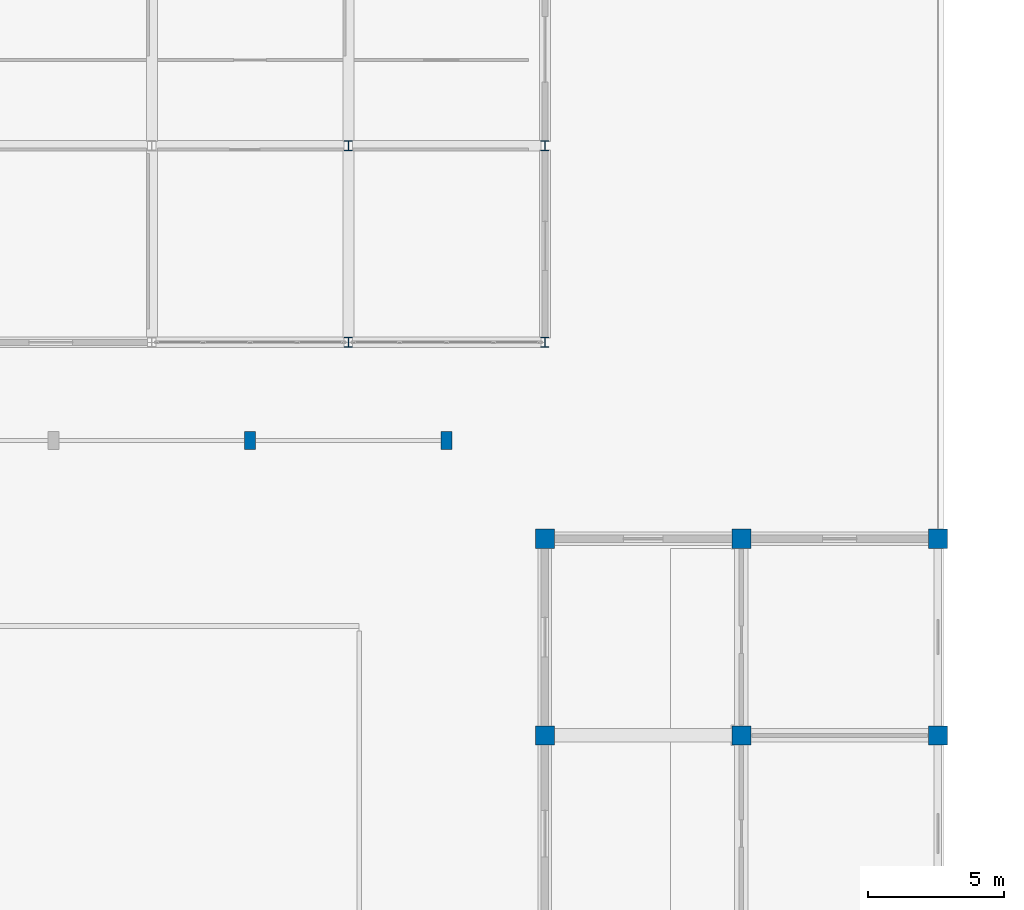
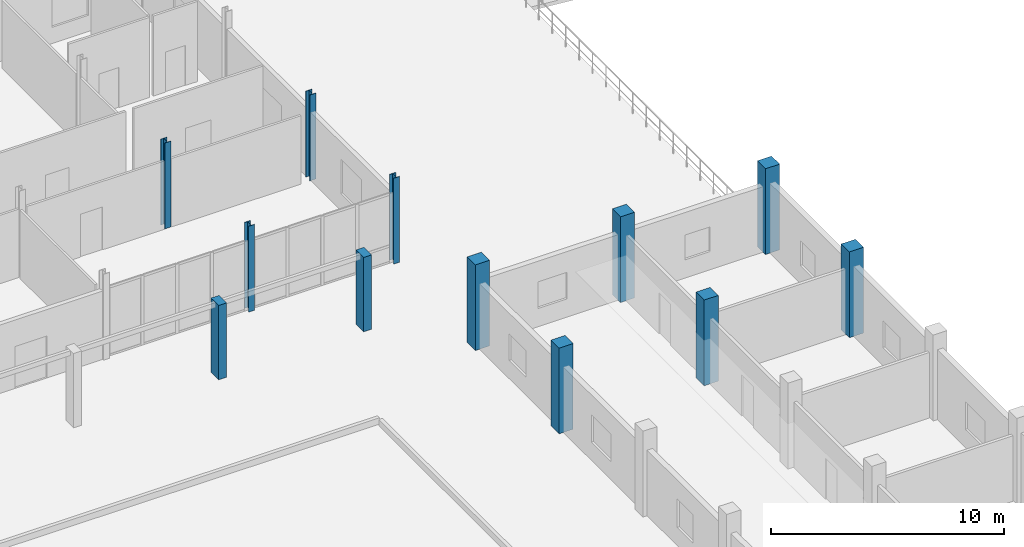
# One storey, part 16 of 139: 12 columns.
"""IFC4 building model written with IfcOpenShell, lengths in metres."""

from ifc_helpers import new_model, si_unit, direction, frame, origin, origin_2d, place, context, subcontext, project, spatial, rectangle, i_section, extrude, material, material_profile, profile_set, type_object, element, save


model = new_model("IFC4")

# Units and contexts
model_context = context("Model", 3, precision=1e-05, world=origin(), true_north=direction((0.0, 1.0)))
body_context = subcontext(model_context, "Body", "Model", "MODEL_VIEW")
ifc_project = project(units=[si_unit("LENGTHUNIT", "METRE"), si_unit("AREAUNIT", "SQUARE_METRE"), si_unit("VOLUMEUNIT", "CUBIC_METRE"), si_unit("PLANEANGLEUNIT", "RADIAN"), si_unit("MASSUNIT", "GRAM", prefix="KILO")], contexts=[model_context])

# Site, building, storey
site_placement = place(None, origin())
site = spatial("IfcSite", under=ifc_project, at=site_placement, CompositionType="ELEMENT")
building_placement = place(site_placement, origin())
building = spatial("IfcBuilding", under=site, at=building_placement, Name="Suanplinth Sawtooth Commons", CompositionType="ELEMENT")
storey_placement = place(building_placement, origin())
storey = spatial("IfcBuildingStorey", under=building, at=storey_placement, Name="L00", CompositionType="ELEMENT", Elevation=0.0)

# Columns
ifc_material_1 = material(Name="Concrete C40/50", Category="concrete")
ifc_material_profile_1 = material_profile(ifc_material_1, rectangle(XDim=0.699951171875, YDim=0.699951171875, at=origin_2d()), Name="RC-COL 700x700")
ifc_profile_set_1 = profile_set([ifc_material_profile_1], Name="Concrete C40/50")
column_type_1 = type_object("IfcColumnType", Name="C-02", PredefinedType="COLUMN", material=ifc_profile_set_1)
for number, where, z_axis, x_axis, name in (
    (1, (172.800048828125, 36.0, 0.0), (0.0, 0.0, 1.0), (1.0, 0.0, 0.0), "Column L00 25/F"),
    (2, (172.800048828125, 43.199951171875, 0.0), (0.0, 0.0, 1.0), (1.0, 0.0, 0.0), "Column L00 25/G"),
    (3, (180.0, 36.0, 0.0), (0.0, 0.0, 1.0), (1.0, 0.0, 0.0), "Column L00 26/F"),
    (4, (180.0, 43.199951171875, 0.0), (0.0, 0.0, 1.0), (1.0, 0.0, 0.0), "Column L00 26/G"),
    (5, (187.199951171875, 36.0, 0.0), (0.0, 0.0, 1.0), (1.0, 0.0, 0.0), "Column L00 27/F"),
    (6, (187.199951171875, 43.199951171875, 0.0), (0.0, 0.0, 1.0), (1.0, 0.0, 0.0), "Column L00 27/G"),
):
    element("IfcColumn", number, at=place(storey_placement, frame(where, z_axis=z_axis, x_axis=x_axis)), inside=storey, type_object=column_type_1, Name=name, PredefinedType="COLUMN", context=body_context, shape_type="SweptSolid", body=[
        extrude(rectangle(XDim=0.699951171875, YDim=0.699951171875, at=origin_2d()), origin(), (0.0, 0.0, 1.0), 4.5),
    ])
ifc_material_2 = material(Name="Steel S355JR", Category="steel")
ifc_material_profile_2 = material_profile(ifc_material_2, i_section(OverallWidth=0.300048828125, OverallDepth=0.360107421875, WebThickness=0.012451171875, FlangeThickness=0.0224609375, at=origin_2d()), Name="HEB 360")
ifc_profile_set_2 = profile_set([ifc_material_profile_2], Name="Steel S355JR")
column_type_2 = type_object("IfcColumnType", Name="C-10", PredefinedType="COLUMN", material=ifc_profile_set_2)
for number, where, z_axis, x_axis, name in (
    (7, (165.60009765625, 50.39990234375, 0.0), (0.0, 0.0, 1.0), (1.0, 0.0, 0.0), "Column L00 24/H"),
    (8, (165.60009765625, 57.60009765625, 0.0), (0.0, 0.0, 1.0), (1.0, 0.0, 0.0), "Column L00 24/J"),
    (9, (172.800048828125, 50.39990234375, 0.0), (0.0, 0.0, 1.0), (1.0, 0.0, 0.0), "Column L00 25/H"),
    (10, (172.800048828125, 57.60009765625, 0.0), (0.0, 0.0, 1.0), (1.0, 0.0, 0.0), "Column L00 25/J"),
):
    element("IfcColumn", number, at=place(storey_placement, frame(where, z_axis=z_axis, x_axis=x_axis)), inside=storey, type_object=column_type_2, Name=name, PredefinedType="COLUMN", context=body_context, shape_type="SweptSolid", body=[
        extrude(i_section(OverallWidth=0.300048828125, OverallDepth=0.360107421875, WebThickness=0.012451171875, FlangeThickness=0.0224609375, at=origin_2d()), origin(), (0.0, 0.0, 1.0), 4.5),
    ])
ifc_material_3 = material(Name="Precast concrete C40/50", Category="concrete")
ifc_material_profile_3 = material_profile(ifc_material_3, rectangle(XDim=0.39990234375, YDim=0.64990234375, at=origin_2d()), Name="PC-PIL 400x650")
ifc_profile_set_3 = profile_set([ifc_material_profile_3], Name="Precast concrete C40/50")
column_type_3 = type_object("IfcColumnType", Name="C-14", PredefinedType="PILASTER", material=ifc_profile_set_3)
for number, where, z_axis, x_axis, name in (
    (11, (162.0, 46.800048828125, 0.0), (0.0, 0.0, 1.0), (1.0, 0.0, 0.0), "Veranda Colonnade Pilaster L00 P11"),
    (12, (169.199951171875, 46.800048828125, 0.0), (0.0, 0.0, 1.0), (1.0, 0.0, 0.0), "Veranda Colonnade Pilaster L00 P12"),
):
    element("IfcColumn", number, at=place(storey_placement, frame(where, z_axis=z_axis, x_axis=x_axis)), inside=storey, type_object=column_type_3, Name=name, PredefinedType="PILASTER", context=body_context, shape_type="SweptSolid", body=[
        extrude(rectangle(XDim=0.39990234375, YDim=0.64990234375, at=origin_2d()), origin(), (0.0, 0.0, 1.0), 3.89990234375),
    ])

save(model, "model.ifc")
